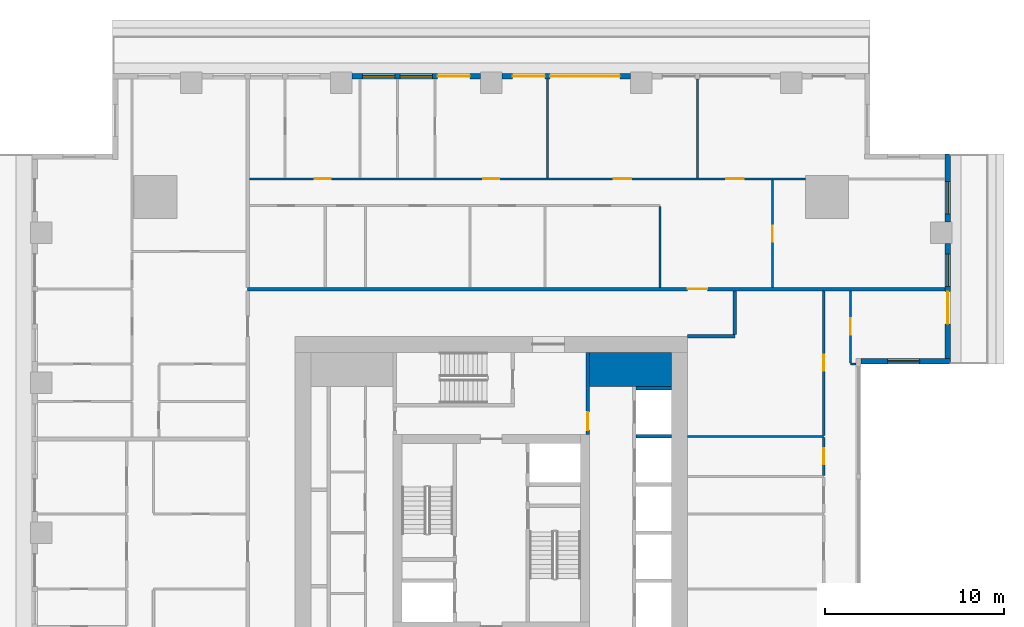
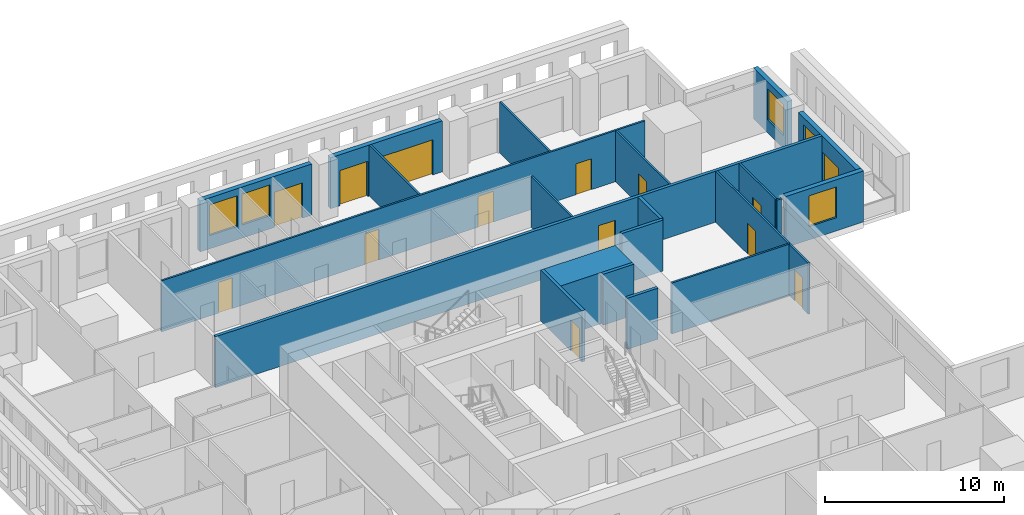
# One storey, part 8 of 15: 22 walls, 14 doors, 5 windows, 19 openings.
"""IFC4 building model written with IfcOpenShell, lengths in metres."""

from ifc_helpers import new_model, si_unit, direction, frame, frame_2d, origin, place, context, subcontext, project, spatial, rectangle, extrude, material, layer, layer_set, type_object, element, fill, save


model = new_model("IFC4")

# Units and contexts
model_context = context("Model", 3, precision=1e-05, world=origin(), true_north=direction((0.0, 1.0)))
body_context = subcontext(model_context, "Body", "Model", "MODEL_VIEW")
ifc_project = project(units=[si_unit("LENGTHUNIT", "METRE"), si_unit("AREAUNIT", "SQUARE_METRE"), si_unit("VOLUMEUNIT", "CUBIC_METRE"), si_unit("PLANEANGLEUNIT", "RADIAN"), si_unit("MASSUNIT", "GRAM", prefix="KILO")], contexts=[model_context])

# Site, building, storey
site_placement = place(None, origin())
site = spatial("IfcSite", under=ifc_project, at=site_placement, CompositionType="ELEMENT")
building_placement = place(site_placement, origin())
building = spatial("IfcBuilding", under=site, at=building_placement, Name="Khepri Terraces", CompositionType="ELEMENT")
storey_placement = place(building_placement, frame((0.0, 0.0, 215.699951171875)))
storey = spatial("IfcBuildingStorey", under=building, at=storey_placement, Name="L51", CompositionType="ELEMENT", Elevation=215.699951171875)

# Walls
ifc_material_1 = material(Name="Concrete C50/60", Category="concrete")
ifc_layer_1 = layer(ifc_material_1, 1.89990234375, Name="Concrete C50/60", Category="concrete")
ifc_layer_set_1 = layer_set([ifc_layer_1], Name="Concrete C50/60")
wall_type_1 = type_object("IfcWallType", Name="Core wall 1900 C50/60", PredefinedType="SHEAR", material=ifc_layer_set_1)
wall_1_placement = place(storey_placement, frame((5.5, 9.14990234375, 0.0), z_axis=(0.0, 0.0, 1.0), x_axis=(1.0, 0.0, 0.0)))
element("IfcWall", 1, at=wall_1_placement, inside=storey, type_object=wall_type_1, Name="Core wall PR04 L51", PredefinedType="SHEAR", context=body_context, shape_type="SweptSolid", body=[
    extrude(rectangle(XDim=4.60009765625, YDim=1.89990234375, at=frame_2d((2.300048828125, 0.0))), origin(), (0.0, 0.0, 1.0), 3.47998046875),
])
ifc_layer_2 = layer(ifc_material_1, 0.199951171875, Name="Concrete C50/60", Category="concrete")
ifc_layer_set_2 = layer_set([ifc_layer_2], Name="Concrete C50/60")
wall_type_2 = type_object("IfcWallType", Name="Core wall 200 C50/60", PredefinedType="SHEAR", material=ifc_layer_set_2)
for number, where, z_axis, x_axis, name in (
    (2, (8.10009765625, 5.39990234375, 0.0), (0.0, 0.0, 1.0), (1.0, 0.0, 0.0), "Core wall SH14 L51"),
    (3, (8.10009765625, 8.10009765625, 0.0), (0.0, 0.0, 1.0), (1.0, 0.0, 0.0), "Core wall SH15 L51"),
):
    element("IfcWall", number, at=place(storey_placement, frame(where, z_axis=z_axis, x_axis=x_axis)), inside=storey, type_object=wall_type_2, Name=name, PredefinedType="SHEAR", context=body_context, shape_type="SweptSolid", body=[
        extrude(rectangle(XDim=2.0, YDim=0.199951171875, at=frame_2d((1.0, 0.0))), origin(), (0.0, 0.0, 1.0), 3.47998046875),
    ])

# Wall, opening, door
ifc_material_2 = material(Name="Fire-rated gypsum board partition")
ifc_layer_3 = layer(ifc_material_2, 0.199951171875, Name="Fire-rated gypsum board partition")
ifc_layer_set_3 = layer_set([ifc_layer_3], Name="Fire-rated gypsum board partition")
wall_type_3 = type_object("IfcWallType", Name="WL-CORE-PART-200", PredefinedType="PARTITIONING", material=ifc_layer_set_3)
wall_2_placement = place(storey_placement, frame((5.39990234375, 5.5, 0.0), z_axis=(0.0, 0.0, 1.0), x_axis=(0.0, 1.0, 0.0)))
wall_2 = element("IfcWall", 4, at=wall_2_placement, inside=storey, type_object=wall_type_3, Name="Core partition PT12 L51", PredefinedType="PARTITIONING", context=body_context, shape_type="SweptSolid", body=[
    extrude(rectangle(XDim=4.60009765625, YDim=0.199951171875, at=frame_2d((2.300048828125, 0.0))), origin(), (0.0, 0.0, 1.0), 3.47998046875),
])
opening_1_placement = place(wall_2_placement, frame((0.25, 0.0, 0.0)))
opening_1 = element("IfcOpeningElement", 5, at=opening_1_placement, cuts=wall_2, Name="Opening L51-C17", PredefinedType="OPENING", context=body_context, shape_type="SweptSolid", body=[
    extrude(rectangle(XDim=1.0, YDim=2.10009765625, at=frame_2d((0.5, 1.050048828125))), frame((0.0, 0.10986328125, 0.0), z_axis=(0.0, -1.0, 0.0), x_axis=(1.0, 0.0, 0.0)), (0.0, 0.0, 1.0), 0.219970703125),
])
ifc_material_3 = material(Name="Painted steel", Category="steel")
door_type_1 = type_object("IfcDoorType", Name="DR-CORE-LOBBY-1000", OperationType="NOTDEFINED", PredefinedType="DOOR", material=ifc_material_3)
door_1_placement = place(opening_1_placement, origin())
door_1 = element("IfcDoor", 6, at=door_1_placement, inside=storey, type_object=door_type_1, Name="Lobby door L51-C17", OperationType="SINGLE_SWING_LEFT", OverallHeight=2.10009765625, OverallWidth=1.0, PredefinedType="DOOR", context=body_context, shape_type="SweptSolid", body=[
    extrude(rectangle(XDim=1.0, YDim=2.10009765625, at=frame_2d((0.5, 1.050048828125))), frame((0.0, 0.02490234375, 0.0), z_axis=(0.0, -1.0, 0.0), x_axis=(1.0, 0.0, 0.0)), (0.0, 0.0, 1.0), 0.050048828125),
])
fill(opening_1, door_1)

# Walls
ifc_material_4 = material(Name="Fire-rated gypsum plasterboard partition, mineral wool")
ifc_layer_4 = layer(ifc_material_4, 0.199951171875, Name="Fire-rated gypsum plasterboard partition, mineral wool")
ifc_layer_set_4 = layer_set([ifc_layer_4], Name="Fire-rated gypsum plasterboard partition, mineral wool")
wall_type_4 = type_object("IfcWallType", Name="WL-CORR-200", PredefinedType="PARTITIONING", material=ifc_layer_set_4)
wall_3_placement = place(storey_placement, frame((11.0, 11.0, 0.0), z_axis=(0.0, 0.0, 1.0), x_axis=(1.0, 0.0, 0.0)))
element("IfcWall", 7, at=wall_3_placement, inside=storey, type_object=wall_type_4, Name="Partition P-067 L51", PredefinedType="PARTITIONING", context=body_context, shape_type="SweptSolid", body=[
    extrude(rectangle(XDim=2.64990234375, YDim=0.199951171875, at=frame_2d((1.324951171875, 0.0))), origin(), (0.0, 0.0, 1.0), 3.47998046875),
])
wall_4_placement = place(storey_placement, frame((13.64990234375, 11.10009765625, 0.0), z_axis=(0.0, 0.0, 1.0), x_axis=(0.0, 1.0, 0.0)))
element("IfcWall", 8, at=wall_4_placement, inside=storey, type_object=wall_type_4, Name="Partition P-068 L51", PredefinedType="PARTITIONING", context=body_context, shape_type="SweptSolid", body=[
    extrude(rectangle(XDim=2.449951171875, YDim=0.199951171875, at=frame_2d((1.22509765625, 0.0))), origin(), (0.0, 0.0, 1.0), 3.47998046875),
])

# Wall, opening, door
wall_5_placement = place(storey_placement, frame((-13.64990234375, 13.64990234375, 0.0), z_axis=(0.0, 0.0, 1.0), x_axis=(1.0, 0.0, 0.0)))
wall_5 = element("IfcWall", 9, at=wall_5_placement, inside=storey, type_object=wall_type_4, Name="Partition P-070 L51", PredefinedType="PARTITIONING", context=body_context, shape_type="SweptSolid", body=[
    extrude(rectangle(XDim=39.06982421875, YDim=0.199951171875, at=frame_2d((19.534912109375, 0.0))), origin(), (0.0, 0.0, 1.0), 3.47998046875),
])
opening_2_placement = place(wall_5_placement, frame((24.64990234375, 0.0, 0.0)))
opening_2 = element("IfcOpeningElement", 10, at=opening_2_placement, cuts=wall_5, Name="Opening D1", PredefinedType="OPENING", context=body_context, shape_type="SweptSolid", body=[
    extrude(rectangle(XDim=1.10009765625, YDim=2.39990234375, at=frame_2d((0.550048828125, 1.199951171875))), frame((0.0, 0.10986328125, 0.0), z_axis=(0.0, -1.0, 0.0), x_axis=(1.0, 0.0, 0.0)), (0.0, 0.0, 1.0), 0.219970703125),
])
ifc_material_5 = material(Name="Solid-core timber door leaf, flat entrance door", Category="wood")
door_type_2 = type_object("IfcDoorType", Name="DR-ENT-1100", OperationType="NOTDEFINED", PredefinedType="DOOR", material=ifc_material_5)
door_2_placement = place(opening_2_placement, origin())
door_2 = element("IfcDoor", 11, at=door_2_placement, inside=storey, type_object=door_type_2, Name="Flat C1 entrance door", OperationType="SINGLE_SWING_RIGHT", OverallHeight=2.39990234375, OverallWidth=1.10009765625, PredefinedType="DOOR", context=body_context, shape_type="SweptSolid", body=[
    extrude(rectangle(XDim=1.10009765625, YDim=2.39990234375, at=frame_2d((0.550048828125, 1.199951171875))), frame((0.0, 0.02490234375, 0.0), z_axis=(0.0, -1.0, 0.0), x_axis=(1.0, 0.0, 0.0)), (0.0, 0.0, 1.0), 0.050048828125),
])
fill(opening_2, door_2)

# Wall, opening, window
ifc_material_6 = material(Name="Precast concrete C50/60 warm stone", Category="masonry")
ifc_layer_5 = layer(ifc_material_6, 0.300048828125, Name="Precast concrete C50/60 warm stone", Category="masonry")
ifc_layer_set_5 = layer_set([ifc_layer_5], Name="Precast concrete C50/60 warm stone")
wall_type_5 = type_object("IfcWallType", Name="WL-EXT-PRECAST-300", PredefinedType="STANDARD", material=ifc_layer_set_5)
wall_6_placement = place(storey_placement, frame((20.719970703125, 9.60009765625, 0.0), z_axis=(0.0, 0.0, 1.0), x_axis=(1.0, 0.0, 0.0)))
wall_6 = element("IfcWall", 12, at=wall_6_placement, inside=storey, type_object=wall_type_5, Name="External wall L51 S", PredefinedType="STANDARD", context=body_context, shape_type="SweptSolid", body=[
    extrude(rectangle(XDim=5.0, YDim=0.300048828125, at=frame_2d((2.5, 0.0))), origin(), (0.0, 0.0, 1.0), 3.47998046875),
])
opening_3_placement = place(wall_6_placement, frame((1.47998046875, 0.0, 0.89990234375)))
opening_3 = element("IfcOpeningElement", 13, at=opening_3_placement, cuts=wall_6, Name="Opening W1", PredefinedType="OPENING", context=body_context, shape_type="SweptSolid", body=[
    extrude(rectangle(XDim=1.800048828125, YDim=2.10009765625, at=frame_2d((0.89990234375, 1.050048828125))), frame((0.0, 0.16015625, 0.0), z_axis=(0.0, -1.0, 0.0), x_axis=(1.0, 0.0, 0.0)), (0.0, 0.0, 1.0), 0.320068359375),
])
ifc_material_7 = material(Name="Clear glass", Category="glass")
window_type = type_object("IfcWindowType", Name="WIN-RES-1800x2100", PartitioningType="SINGLE_PANEL", PredefinedType="WINDOW", material=ifc_material_7)
window_1_placement = place(opening_3_placement, origin())
window_1 = element("IfcWindow", 14, at=window_1_placement, inside=storey, type_object=window_type, Name="Window L51 S", OverallHeight=2.10009765625, OverallWidth=1.800048828125, PartitioningType="SINGLE_PANEL", PredefinedType="WINDOW", context=body_context, shape_type="SweptSolid", body=[
    extrude(rectangle(XDim=1.800048828125, YDim=2.10009765625, at=frame_2d((0.89990234375, 1.050048828125))), frame((0.0, 0.030029296875, 0.0), z_axis=(0.0, -1.0, 0.0), x_axis=(1.0, 0.0, 0.0)), (0.0, 0.0, 1.0), 0.06005859375),
])
fill(opening_3, window_1)

# Wall, openings, door, window
wall_7_placement = place(storey_placement, frame((25.570068359375, 9.75, 0.0), z_axis=(0.0, 0.0, 1.0), x_axis=(0.0, 1.0, 0.0)))
wall_7 = element("IfcWall", 15, at=wall_7_placement, inside=storey, type_object=wall_type_5, Name="External wall L51 E", PredefinedType="STANDARD", context=body_context, shape_type="SweptSolid", body=[
    extrude(rectangle(XDim=6.449951171875, YDim=0.300048828125, at=frame_2d((3.22509765625, 0.0))), origin(), (0.0, 0.0, 1.0), 3.47998046875),
])
opening_4_placement = place(wall_7_placement, frame((1.949951171875, 0.0, 0.0)))
opening_4 = element("IfcOpeningElement", 16, at=opening_4_placement, cuts=wall_7, Name="Opening ED-L51-03", PredefinedType="OPENING", context=body_context, shape_type="SweptSolid", body=[
    extrude(rectangle(XDim=1.800048828125, YDim=2.39990234375, at=frame_2d((0.89990234375, 1.199951171875))), frame((0.0, 0.16015625, 0.0), z_axis=(0.0, -1.0, 0.0), x_axis=(1.0, 0.0, 0.0)), (0.0, 0.0, 1.0), 0.320068359375),
])
opening_5_placement = place(wall_7_placement, frame((4.050048828125, 0.0, 0.89990234375)))
opening_5 = element("IfcOpeningElement", 17, at=opening_5_placement, cuts=wall_7, Name="Opening W1", PredefinedType="OPENING", context=body_context, shape_type="SweptSolid", body=[
    extrude(rectangle(XDim=1.800048828125, YDim=2.10009765625, at=frame_2d((0.89990234375, 1.050048828125))), frame((0.0, 0.16015625, 0.0), z_axis=(0.0, -1.0, 0.0), x_axis=(1.0, 0.0, 0.0)), (0.0, 0.0, 1.0), 0.320068359375),
])
ifc_material_8 = material(Name="Anodised aluminium bronze glazed door", Category="aluminium")
door_type_3 = type_object("IfcDoorType", Name="DR-BAL-SLIDE-1800x2400", OperationType="NOTDEFINED", PredefinedType="DOOR", material=ifc_material_8)
door_3_placement = place(opening_4_placement, origin())
door_3 = element("IfcDoor", 18, at=door_3_placement, inside=storey, type_object=door_type_3, Name="Balcony door L51 E", OperationType="SLIDING_TO_RIGHT", OverallHeight=2.39990234375, OverallWidth=1.800048828125, PredefinedType="DOOR", context=body_context, shape_type="SweptSolid", body=[
    extrude(rectangle(XDim=1.800048828125, YDim=2.39990234375, at=frame_2d((0.89990234375, 1.199951171875))), frame((0.0, 0.02490234375, 0.0), z_axis=(0.0, -1.0, 0.0), x_axis=(1.0, 0.0, 0.0)), (0.0, 0.0, 1.0), 0.050048828125),
])
fill(opening_4, door_3)
window_2_placement = place(opening_5_placement, origin())
window_2 = element("IfcWindow", 19, at=window_2_placement, inside=storey, type_object=window_type, Name="Window L51 E", OverallHeight=2.10009765625, OverallWidth=1.800048828125, PartitioningType="SINGLE_PANEL", PredefinedType="WINDOW", context=body_context, shape_type="SweptSolid", body=[
    extrude(rectangle(XDim=1.800048828125, YDim=2.10009765625, at=frame_2d((0.89990234375, 1.050048828125))), frame((0.0, 0.030029296875, 0.0), z_axis=(0.0, -1.0, 0.0), x_axis=(1.0, 0.0, 0.0)), (0.0, 0.0, 1.0), 0.06005859375),
])
fill(opening_5, window_2)

# Wall, opening, window
wall_8_placement = place(storey_placement, frame((25.570068359375, 17.39990234375, 0.0), z_axis=(0.0, 0.0, 1.0), x_axis=(0.0, 1.0, 0.0)))
wall_8 = element("IfcWall", 20, at=wall_8_placement, inside=storey, type_object=wall_type_5, Name="External wall L51 E", PredefinedType="STANDARD", context=body_context, shape_type="SweptSolid", body=[
    extrude(rectangle(XDim=3.820068359375, YDim=0.300048828125, at=frame_2d((1.91015625, 0.0))), origin(), (0.0, 0.0, 1.0), 3.47998046875),
])
opening_6_placement = place(wall_8_placement, frame((0.4599609375, 0.0, 0.89990234375)))
opening_6 = element("IfcOpeningElement", 21, at=opening_6_placement, cuts=wall_8, Name="Opening W1", PredefinedType="OPENING", context=body_context, shape_type="SweptSolid", body=[
    extrude(rectangle(XDim=1.800048828125, YDim=2.10009765625, at=frame_2d((0.89990234375, 1.050048828125))), frame((0.0, 0.16015625, 0.0), z_axis=(0.0, -1.0, 0.0), x_axis=(1.0, 0.0, 0.0)), (0.0, 0.0, 1.0), 0.320068359375),
])
window_3_placement = place(opening_6_placement, origin())
window_3 = element("IfcWindow", 22, at=window_3_placement, inside=storey, type_object=window_type, Name="Window L51 E", OverallHeight=2.10009765625, OverallWidth=1.800048828125, PartitioningType="SINGLE_PANEL", PredefinedType="WINDOW", context=body_context, shape_type="SweptSolid", body=[
    extrude(rectangle(XDim=1.800048828125, YDim=2.10009765625, at=frame_2d((0.89990234375, 1.050048828125))), frame((0.0, 0.030029296875, 0.0), z_axis=(0.0, -1.0, 0.0), x_axis=(1.0, 0.0, 0.0)), (0.0, 0.0, 1.0), 0.06005859375),
])
fill(opening_6, window_3)

# Wall, openings, doors
wall_9_placement = place(storey_placement, frame((7.800048828125, 25.570068359375, 0.0), z_axis=(0.0, 0.0, 1.0), x_axis=(-1.0, 0.0, 0.0)))
wall_9 = element("IfcWall", 23, at=wall_9_placement, inside=storey, type_object=wall_type_5, Name="External wall L51 N", PredefinedType="STANDARD", context=body_context, shape_type="SweptSolid", body=[
    extrude(rectangle(XDim=7.199951171875, YDim=0.300048828125, at=frame_2d((3.60009765625, 0.0))), origin(), (0.0, 0.0, 1.0), 3.47998046875),
])
opening_7_placement = place(wall_9_placement, frame((0.60009765625, 0.0, 0.0)))
opening_7 = element("IfcOpeningElement", 24, at=opening_7_placement, cuts=wall_9, Name="Opening ED-L51-07", PredefinedType="OPENING", context=body_context, shape_type="SweptSolid", body=[
    extrude(rectangle(XDim=3.89990234375, YDim=2.39990234375, at=frame_2d((1.949951171875, 1.199951171875))), frame((0.0, 0.16015625, 0.0), z_axis=(0.0, -1.0, 0.0), x_axis=(1.0, 0.0, 0.0)), (0.0, 0.0, 1.0), 0.320068359375),
])
opening_8_placement = place(wall_9_placement, frame((4.800048828125, 0.0, 0.0)))
opening_8 = element("IfcOpeningElement", 25, at=opening_8_placement, cuts=wall_9, Name="Opening ED-L51-08", PredefinedType="OPENING", context=body_context, shape_type="SweptSolid", body=[
    extrude(rectangle(XDim=1.800048828125, YDim=2.39990234375, at=frame_2d((0.89990234375, 1.199951171875))), frame((0.0, 0.16015625, 0.0), z_axis=(0.0, -1.0, 0.0), x_axis=(1.0, 0.0, 0.0)), (0.0, 0.0, 1.0), 0.320068359375),
])
door_4_placement = place(opening_8_placement, origin())
door_4 = element("IfcDoor", 26, at=door_4_placement, inside=storey, type_object=door_type_3, Name="Balcony door L51 N", OperationType="SLIDING_TO_RIGHT", OverallHeight=2.39990234375, OverallWidth=1.800048828125, PredefinedType="DOOR", context=body_context, shape_type="SweptSolid", body=[
    extrude(rectangle(XDim=1.800048828125, YDim=2.39990234375, at=frame_2d((0.89990234375, 1.199951171875))), frame((0.0, 0.02490234375, 0.0), z_axis=(0.0, -1.0, 0.0), x_axis=(1.0, 0.0, 0.0)), (0.0, 0.0, 1.0), 0.050048828125),
])
fill(opening_8, door_4)
door_type_4 = type_object("IfcDoorType", Name="DR-BAL-SLIDE-3900x2400", OperationType="NOTDEFINED", PredefinedType="DOOR", material=ifc_material_8)
door_5_placement = place(opening_7_placement, origin())
door_5 = element("IfcDoor", 27, at=door_5_placement, inside=storey, type_object=door_type_4, Name="Balcony door L51 N", OperationType="SLIDING_TO_LEFT", OverallHeight=2.39990234375, OverallWidth=3.89990234375, PredefinedType="DOOR", context=body_context, shape_type="SweptSolid", body=[
    extrude(rectangle(XDim=3.89990234375, YDim=2.39990234375, at=frame_2d((1.949951171875, 1.199951171875))), frame((0.0, 0.02490234375, 0.0), z_axis=(0.0, -1.0, 0.0), x_axis=(1.0, 0.0, 0.0)), (0.0, 0.0, 1.0), 0.050048828125),
])
fill(opening_7, door_5)

# Wall, openings, door, windows
wall_10_placement = place(storey_placement, frame((-0.60009765625, 25.570068359375, 0.0), z_axis=(0.0, 0.0, 1.0), x_axis=(-1.0, 0.0, 0.0)))
wall_10 = element("IfcWall", 28, at=wall_10_placement, inside=storey, type_object=wall_type_5, Name="External wall L51 N", PredefinedType="STANDARD", context=body_context, shape_type="SweptSolid", body=[
    extrude(rectangle(XDim=7.199951171875, YDim=0.300048828125, at=frame_2d((3.60009765625, 0.0))), origin(), (0.0, 0.0, 1.0), 3.47998046875),
])
opening_9_placement = place(wall_10_placement, frame((0.60009765625, 0.0, 0.0)))
opening_9 = element("IfcOpeningElement", 29, at=opening_9_placement, cuts=wall_10, Name="Opening ED-L51-09", PredefinedType="OPENING", context=body_context, shape_type="SweptSolid", body=[
    extrude(rectangle(XDim=1.800048828125, YDim=2.39990234375, at=frame_2d((0.89990234375, 1.199951171875))), frame((0.0, 0.16015625, 0.0), z_axis=(0.0, -1.0, 0.0), x_axis=(1.0, 0.0, 0.0)), (0.0, 0.0, 1.0), 0.320068359375),
])
opening_10_placement = place(wall_10_placement, frame((2.699951171875, 0.0, 0.89990234375)))
opening_10 = element("IfcOpeningElement", 30, at=opening_10_placement, cuts=wall_10, Name="Opening W1", PredefinedType="OPENING", context=body_context, shape_type="SweptSolid", body=[
    extrude(rectangle(XDim=1.800048828125, YDim=2.10009765625, at=frame_2d((0.89990234375, 1.050048828125))), frame((0.0, 0.16015625, 0.0), z_axis=(0.0, -1.0, 0.0), x_axis=(1.0, 0.0, 0.0)), (0.0, 0.0, 1.0), 0.320068359375),
])
opening_11_placement = place(wall_10_placement, frame((4.800048828125, 0.0, 0.89990234375)))
opening_11 = element("IfcOpeningElement", 31, at=opening_11_placement, cuts=wall_10, Name="Opening W1", PredefinedType="OPENING", context=body_context, shape_type="SweptSolid", body=[
    extrude(rectangle(XDim=1.800048828125, YDim=2.10009765625, at=frame_2d((0.89990234375, 1.050048828125))), frame((0.0, 0.16015625, 0.0), z_axis=(0.0, -1.0, 0.0), x_axis=(1.0, 0.0, 0.0)), (0.0, 0.0, 1.0), 0.320068359375),
])
door_6_placement = place(opening_9_placement, origin())
door_6 = element("IfcDoor", 32, at=door_6_placement, inside=storey, type_object=door_type_3, Name="Balcony door L51 N", OperationType="SLIDING_TO_LEFT", OverallHeight=2.39990234375, OverallWidth=1.800048828125, PredefinedType="DOOR", context=body_context, shape_type="SweptSolid", body=[
    extrude(rectangle(XDim=1.800048828125, YDim=2.39990234375, at=frame_2d((0.89990234375, 1.199951171875))), frame((0.0, 0.02490234375, 0.0), z_axis=(0.0, -1.0, 0.0), x_axis=(1.0, 0.0, 0.0)), (0.0, 0.0, 1.0), 0.050048828125),
])
fill(opening_9, door_6)
window_4_placement = place(opening_10_placement, origin())
window_4 = element("IfcWindow", 33, at=window_4_placement, inside=storey, type_object=window_type, Name="Window L51 N", OverallHeight=2.10009765625, OverallWidth=1.800048828125, PartitioningType="SINGLE_PANEL", PredefinedType="WINDOW", context=body_context, shape_type="SweptSolid", body=[
    extrude(rectangle(XDim=1.800048828125, YDim=2.10009765625, at=frame_2d((0.89990234375, 1.050048828125))), frame((0.0, 0.030029296875, 0.0), z_axis=(0.0, -1.0, 0.0), x_axis=(1.0, 0.0, 0.0)), (0.0, 0.0, 1.0), 0.06005859375),
])
fill(opening_10, window_4)
window_5_placement = place(opening_11_placement, origin())
window_5 = element("IfcWindow", 34, at=window_5_placement, inside=storey, type_object=window_type, Name="Window L51 N", OverallHeight=2.10009765625, OverallWidth=1.800048828125, PartitioningType="SINGLE_PANEL", PredefinedType="WINDOW", context=body_context, shape_type="SweptSolid", body=[
    extrude(rectangle(XDim=1.800048828125, YDim=2.10009765625, at=frame_2d((0.89990234375, 1.050048828125))), frame((0.0, 0.030029296875, 0.0), z_axis=(0.0, -1.0, 0.0), x_axis=(1.0, 0.0, 0.0)), (0.0, 0.0, 1.0), 0.06005859375),
])
fill(opening_11, window_5)

# Wall, opening, door
ifc_material_9 = material(Name="Gypsum plasterboard partition")
ifc_layer_6 = layer(ifc_material_9, 0.1201171875, Name="Gypsum plasterboard partition")
ifc_layer_set_6 = layer_set([ifc_layer_6], Name="Gypsum plasterboard partition")
wall_type_6 = type_object("IfcWallType", Name="WL-PART-120", PredefinedType="PARTITIONING", material=ifc_layer_set_6)
wall_11_placement = place(storey_placement, frame((18.6201171875, 3.2099609375, 0.0), z_axis=(0.0, 0.0, 1.0), x_axis=(0.0, 1.0, 0.0)))
wall_11 = element("IfcWall", 35, at=wall_11_placement, inside=storey, type_object=wall_type_6, Name="Partition P-051 L51", PredefinedType="PARTITIONING", context=body_context, shape_type="SweptSolid", body=[
    extrude(rectangle(XDim=2.130126953125, YDim=0.1201171875, at=frame_2d((1.06494140625, 0.0))), origin(), (0.0, 0.0, 1.0), 3.47998046875),
])
opening_12_placement = place(wall_11_placement, frame((0.614990234375, 0.0, 0.0)))
opening_12 = element("IfcOpeningElement", 36, at=opening_12_placement, cuts=wall_11, Name="Opening D4", PredefinedType="OPENING", context=body_context, shape_type="SweptSolid", body=[
    extrude(rectangle(XDim=0.89990234375, YDim=2.10009765625, at=frame_2d((0.449951171875, 1.050048828125))), frame((0.0, 0.070068359375, 0.0), z_axis=(0.0, -1.0, 0.0), x_axis=(1.0, 0.0, 0.0)), (0.0, 0.0, 1.0), 0.14013671875),
])
ifc_material_10 = material(Name="Timber door leaf, moisture resistant", Category="wood")
door_type_5 = type_object("IfcDoorType", Name="DR-WET-900", OperationType="NOTDEFINED", PredefinedType="DOOR", material=ifc_material_10)
door_7_placement = place(opening_12_placement, origin())
door_7 = element("IfcDoor", 37, at=door_7_placement, inside=storey, type_object=door_type_5, Name="Door Guest Bathroom", OperationType="SINGLE_SWING_RIGHT", OverallHeight=2.10009765625, OverallWidth=0.89990234375, PredefinedType="DOOR", context=body_context, shape_type="SweptSolid", body=[
    extrude(rectangle(XDim=0.89990234375, YDim=2.10009765625, at=frame_2d((0.449951171875, 1.050048828125))), frame((0.0, 0.02490234375, 0.0), z_axis=(0.0, -1.0, 0.0), x_axis=(1.0, 0.0, 0.0)), (0.0, 0.0, 1.0), 0.050048828125),
])
fill(opening_12, door_7)

# Wall
wall_12_placement = place(storey_placement, frame((11.0, 5.39990234375, 0.0), z_axis=(0.0, 0.0, 1.0), x_axis=(1.0, 0.0, 0.0)))
element("IfcWall", 38, at=wall_12_placement, inside=storey, type_object=wall_type_6, Name="Partition P-056 L51", PredefinedType="PARTITIONING", context=body_context, shape_type="SweptSolid", body=[
    extrude(rectangle(XDim=7.6201171875, YDim=0.1201171875, at=frame_2d((3.81005859375, 0.0))), origin(), (0.0, 0.0, 1.0), 3.47998046875),
])

# Wall, opening, door
wall_13_placement = place(storey_placement, frame((18.6201171875, 5.4599609375, 0.0), z_axis=(0.0, 0.0, 1.0), x_axis=(0.0, 1.0, 0.0)))
wall_13 = element("IfcWall", 39, at=wall_13_placement, inside=storey, type_object=wall_type_6, Name="Partition P-057 L51", PredefinedType="PARTITIONING", context=body_context, shape_type="SweptSolid", body=[
    extrude(rectangle(XDim=8.090087890625, YDim=0.1201171875, at=frame_2d((4.044921875, 0.0))), origin(), (0.0, 0.0, 1.0), 3.47998046875),
])
opening_13_placement = place(wall_13_placement, frame((3.614990234375, 0.0, 0.0)))
opening_13 = element("IfcOpeningElement", 40, at=opening_13_placement, cuts=wall_13, Name="Opening D3", PredefinedType="OPENING", context=body_context, shape_type="SweptSolid", body=[
    extrude(rectangle(XDim=0.89990234375, YDim=2.10009765625, at=frame_2d((0.449951171875, 1.050048828125))), frame((0.0, 0.070068359375, 0.0), z_axis=(0.0, -1.0, 0.0), x_axis=(1.0, 0.0, 0.0)), (0.0, 0.0, 1.0), 0.14013671875),
])
ifc_material_11 = material(Name="Timber door leaf", Category="wood")
door_type_6 = type_object("IfcDoorType", Name="DR-INT-900", OperationType="NOTDEFINED", PredefinedType="DOOR", material=ifc_material_11)
door_8_placement = place(opening_13_placement, origin())
door_8 = element("IfcDoor", 41, at=door_8_placement, inside=storey, type_object=door_type_6, Name="Door Library", OperationType="SINGLE_SWING_RIGHT", OverallHeight=2.10009765625, OverallWidth=0.89990234375, PredefinedType="DOOR", context=body_context, shape_type="SweptSolid", body=[
    extrude(rectangle(XDim=0.89990234375, YDim=2.10009765625, at=frame_2d((0.449951171875, 1.050048828125))), frame((0.0, 0.02490234375, 0.0), z_axis=(0.0, -1.0, 0.0), x_axis=(1.0, 0.0, 0.0)), (0.0, 0.0, 1.0), 0.050048828125),
])
fill(opening_13, door_8)

# Wall
wall_14_placement = place(storey_placement, frame((20.1201171875, 9.449951171875, 0.0), z_axis=(0.0, 0.0, 1.0), x_axis=(1.0, 0.0, 0.0)))
element("IfcWall", 42, at=wall_14_placement, inside=storey, type_object=wall_type_6, Name="Partition P-064 L51", PredefinedType="PARTITIONING", context=body_context, shape_type="SweptSolid", body=[
    extrude(rectangle(XDim=0.2998046875, YDim=0.1201171875, at=frame_2d((0.14990234375, 0.0))), origin(), (0.0, 0.0, 1.0), 3.47998046875),
])

# Wall, opening, door
wall_15_placement = place(storey_placement, frame((20.1201171875, 9.510009765625, 0.0), z_axis=(0.0, 0.0, 1.0), x_axis=(0.0, 1.0, 0.0)))
wall_15 = element("IfcWall", 43, at=wall_15_placement, inside=storey, type_object=wall_type_6, Name="Partition P-066 L51", PredefinedType="PARTITIONING", context=body_context, shape_type="SweptSolid", body=[
    extrude(rectangle(XDim=4.0400390625, YDim=0.1201171875, at=frame_2d((2.02001953125, 0.0))), origin(), (0.0, 0.0, 1.0), 3.47998046875),
])
opening_14_placement = place(wall_15_placement, frame((1.590087890625, 0.0, 0.0)))
opening_14 = element("IfcOpeningElement", 44, at=opening_14_placement, cuts=wall_15, Name="Opening D3", PredefinedType="OPENING", context=body_context, shape_type="SweptSolid", body=[
    extrude(rectangle(XDim=0.89990234375, YDim=2.10009765625, at=frame_2d((0.449951171875, 1.050048828125))), frame((0.0, 0.070068359375, 0.0), z_axis=(0.0, -1.0, 0.0), x_axis=(1.0, 0.0, 0.0)), (0.0, 0.0, 1.0), 0.14013671875),
])
door_9_placement = place(opening_14_placement, frame((0.89990234375, 0.0, 0.0), z_axis=(0.0, 0.0, 1.0), x_axis=(-1.0, 0.0, 0.0)))
door_9 = element("IfcDoor", 45, at=door_9_placement, inside=storey, type_object=door_type_6, Name="Door Home Office", OperationType="SINGLE_SWING_LEFT", OverallHeight=2.10009765625, OverallWidth=0.89990234375, PredefinedType="DOOR", context=body_context, shape_type="SweptSolid", body=[
    extrude(rectangle(XDim=0.89990234375, YDim=2.10009765625, at=frame_2d((0.449951171875, 1.050048828125))), frame((0.0, 0.02490234375, 0.0), z_axis=(0.0, -1.0, 0.0), x_axis=(1.0, 0.0, 0.0)), (0.0, 0.0, 1.0), 0.050048828125),
])
fill(opening_14, door_9)

# Wall
wall_16_placement = place(storey_placement, frame((9.449951171875, 13.75, 0.0), z_axis=(0.0, 0.0, 1.0), x_axis=(0.0, 1.0, 0.0)))
element("IfcWall", 46, at=wall_16_placement, inside=storey, type_object=wall_type_6, Name="Partition P-077 L51", PredefinedType="PARTITIONING", context=body_context, shape_type="SweptSolid", body=[
    extrude(rectangle(XDim=4.510009765625, YDim=0.1201171875, at=frame_2d((2.2548828125, 0.0))), origin(), (0.0, 0.0, 1.0), 3.47998046875),
])

# Wall, opening, door
wall_17_placement = place(storey_placement, frame((15.75, 13.75, 0.0), z_axis=(0.0, 0.0, 1.0), x_axis=(0.0, 1.0, 0.0)))
wall_17 = element("IfcWall", 47, at=wall_17_placement, inside=storey, type_object=wall_type_6, Name="Partition P-078 L51", PredefinedType="PARTITIONING", context=body_context, shape_type="SweptSolid", body=[
    extrude(rectangle(XDim=6.010009765625, YDim=0.1201171875, at=frame_2d((3.0048828125, 0.0))), origin(), (0.0, 0.0, 1.0), 3.47998046875),
])
opening_15_placement = place(wall_17_placement, frame((2.534912109375, 0.0, 0.0)))
opening_15 = element("IfcOpeningElement", 48, at=opening_15_placement, cuts=wall_17, Name="Opening D3", PredefinedType="OPENING", context=body_context, shape_type="SweptSolid", body=[
    extrude(rectangle(XDim=0.89990234375, YDim=2.10009765625, at=frame_2d((0.449951171875, 1.050048828125))), frame((0.0, 0.070068359375, 0.0), z_axis=(0.0, -1.0, 0.0), x_axis=(1.0, 0.0, 0.0)), (0.0, 0.0, 1.0), 0.14013671875),
])
door_10_placement = place(opening_15_placement, frame((0.89990234375, 0.0, 0.0), z_axis=(0.0, 0.0, 1.0), x_axis=(-1.0, 0.0, 0.0)))
door_10 = element("IfcDoor", 49, at=door_10_placement, inside=storey, type_object=door_type_6, Name="Door Home Gym", OperationType="SINGLE_SWING_RIGHT", OverallHeight=2.10009765625, OverallWidth=0.89990234375, PredefinedType="DOOR", context=body_context, shape_type="SweptSolid", body=[
    extrude(rectangle(XDim=0.89990234375, YDim=2.10009765625, at=frame_2d((0.449951171875, 1.050048828125))), frame((0.0, 0.02490234375, 0.0), z_axis=(0.0, -1.0, 0.0), x_axis=(1.0, 0.0, 0.0)), (0.0, 0.0, 1.0), 0.050048828125),
])
fill(opening_15, door_10)

# Wall, openings, doors
wall_18_placement = place(storey_placement, frame((-13.550048828125, 19.820068359375, 0.0), z_axis=(0.0, 0.0, 1.0), x_axis=(1.0, 0.0, 0.0)))
wall_18 = element("IfcWall", 50, at=wall_18_placement, inside=storey, type_object=wall_type_6, Name="Partition P-082 L51", PredefinedType="PARTITIONING", context=body_context, shape_type="SweptSolid", body=[
    extrude(rectangle(XDim=31.150146484375, YDim=0.1201171875, at=frame_2d((15.5751953125, 0.0))), origin(), (0.0, 0.0, 1.0), 3.47998046875),
])
opening_16_placement = place(wall_18_placement, frame((26.699951171875, 0.0, 0.0)))
opening_16 = element("IfcOpeningElement", 51, at=opening_16_placement, cuts=wall_18, Name="Opening D2", PredefinedType="OPENING", context=body_context, shape_type="SweptSolid", body=[
    extrude(rectangle(XDim=1.0, YDim=2.10009765625, at=frame_2d((0.5, 1.050048828125))), frame((0.0, 0.070068359375, 0.0), z_axis=(0.0, -1.0, 0.0), x_axis=(1.0, 0.0, 0.0)), (0.0, 0.0, 1.0), 0.14013671875),
])
opening_17_placement = place(wall_18_placement, frame((20.39990234375, 0.0, 0.0)))
opening_17 = element("IfcOpeningElement", 52, at=opening_17_placement, cuts=wall_18, Name="Opening D2", PredefinedType="OPENING", context=body_context, shape_type="SweptSolid", body=[
    extrude(rectangle(XDim=1.0, YDim=2.10009765625, at=frame_2d((0.5, 1.050048828125))), frame((0.0, 0.070068359375, 0.0), z_axis=(0.0, -1.0, 0.0), x_axis=(1.0, 0.0, 0.0)), (0.0, 0.0, 1.0), 0.14013671875),
])
opening_18_placement = place(wall_18_placement, frame((13.10009765625, 0.0, 0.0)))
opening_18 = element("IfcOpeningElement", 53, at=opening_18_placement, cuts=wall_18, Name="Opening D3", PredefinedType="OPENING", context=body_context, shape_type="SweptSolid", body=[
    extrude(rectangle(XDim=0.89990234375, YDim=2.10009765625, at=frame_2d((0.449951171875, 1.050048828125))), frame((0.0, 0.070068359375, 0.0), z_axis=(0.0, -1.0, 0.0), x_axis=(1.0, 0.0, 0.0)), (0.0, 0.0, 1.0), 0.14013671875),
])
opening_19_placement = place(wall_18_placement, frame((3.64990234375, 0.0, 0.0)))
opening_19 = element("IfcOpeningElement", 54, at=opening_19_placement, cuts=wall_18, Name="Opening D3", PredefinedType="OPENING", context=body_context, shape_type="SweptSolid", body=[
    extrude(rectangle(XDim=0.89990234375, YDim=2.10009765625, at=frame_2d((0.449951171875, 1.050048828125))), frame((0.0, 0.070068359375, 0.0), z_axis=(0.0, -1.0, 0.0), x_axis=(1.0, 0.0, 0.0)), (0.0, 0.0, 1.0), 0.14013671875),
])
ifc_material_12 = material(Name="Timber door leaf, living room door", Category="wood")
door_type_7 = type_object("IfcDoorType", Name="DR-INT-1000", OperationType="NOTDEFINED", PredefinedType="DOOR", material=ifc_material_12)
door_11_placement = place(opening_16_placement, origin())
door_11 = element("IfcDoor", 55, at=door_11_placement, inside=storey, type_object=door_type_7, Name="Door Living Room", OperationType="SINGLE_SWING_RIGHT", OverallHeight=2.10009765625, OverallWidth=1.0, PredefinedType="DOOR", context=body_context, shape_type="SweptSolid", body=[
    extrude(rectangle(XDim=1.0, YDim=2.10009765625, at=frame_2d((0.5, 1.050048828125))), frame((0.0, 0.02490234375, 0.0), z_axis=(0.0, -1.0, 0.0), x_axis=(1.0, 0.0, 0.0)), (0.0, 0.0, 1.0), 0.050048828125),
])
fill(opening_16, door_11)
door_12_placement = place(opening_17_placement, origin())
door_12 = element("IfcDoor", 56, at=door_12_placement, inside=storey, type_object=door_type_7, Name="Door Family Room", OperationType="SINGLE_SWING_RIGHT", OverallHeight=2.10009765625, OverallWidth=1.0, PredefinedType="DOOR", context=body_context, shape_type="SweptSolid", body=[
    extrude(rectangle(XDim=1.0, YDim=2.10009765625, at=frame_2d((0.5, 1.050048828125))), frame((0.0, 0.02490234375, 0.0), z_axis=(0.0, -1.0, 0.0), x_axis=(1.0, 0.0, 0.0)), (0.0, 0.0, 1.0), 0.050048828125),
])
fill(opening_17, door_12)
door_13_placement = place(opening_18_placement, origin())
door_13 = element("IfcDoor", 57, at=door_13_placement, inside=storey, type_object=door_type_6, Name="Door Master Bedroom", OperationType="SINGLE_SWING_LEFT", OverallHeight=2.10009765625, OverallWidth=0.89990234375, PredefinedType="DOOR", context=body_context, shape_type="SweptSolid", body=[
    extrude(rectangle(XDim=0.89990234375, YDim=2.10009765625, at=frame_2d((0.449951171875, 1.050048828125))), frame((0.0, 0.02490234375, 0.0), z_axis=(0.0, -1.0, 0.0), x_axis=(1.0, 0.0, 0.0)), (0.0, 0.0, 1.0), 0.050048828125),
])
fill(opening_18, door_13)
door_14_placement = place(opening_19_placement, origin())
door_14 = element("IfcDoor", 58, at=door_14_placement, inside=storey, type_object=door_type_6, Name="Door Bedroom", OperationType="SINGLE_SWING_LEFT", OverallHeight=2.10009765625, OverallWidth=0.89990234375, PredefinedType="DOOR", context=body_context, shape_type="SweptSolid", body=[
    extrude(rectangle(XDim=0.89990234375, YDim=2.10009765625, at=frame_2d((0.449951171875, 1.050048828125))), frame((0.0, 0.02490234375, 0.0), z_axis=(0.0, -1.0, 0.0), x_axis=(1.0, 0.0, 0.0)), (0.0, 0.0, 1.0), 0.050048828125),
])
fill(opening_19, door_14)

# Walls
for number, where, z_axis, x_axis, name in (
    (59, (3.14990234375, 19.8798828125, 0.0), (0.0, 0.0, 1.0), (0.0, 1.0, 0.0), "Partition P-088 L51"),
    (60, (11.550048828125, 19.8798828125, 0.0), (0.0, 0.0, 1.0), (0.0, 1.0, 0.0), "Partition P-089 L51"),
):
    element("IfcWall", number, at=place(storey_placement, frame(where, z_axis=z_axis, x_axis=x_axis)), inside=storey, type_object=wall_type_6, Name=name, PredefinedType="PARTITIONING", context=body_context, shape_type="SweptSolid", body=[
        extrude(rectangle(XDim=5.5400390625, YDim=0.1201171875, at=frame_2d((2.77001953125, 0.0))), origin(), (0.0, 0.0, 1.0), 3.47998046875),
    ])

save(model, "model.ifc")
